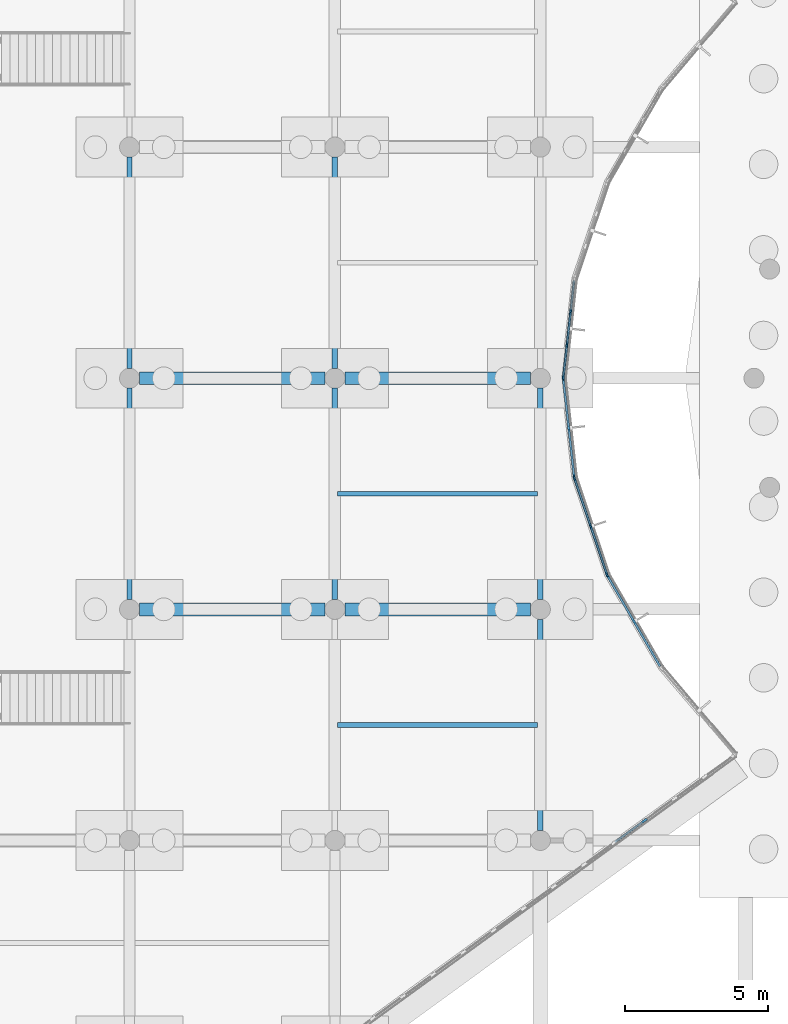
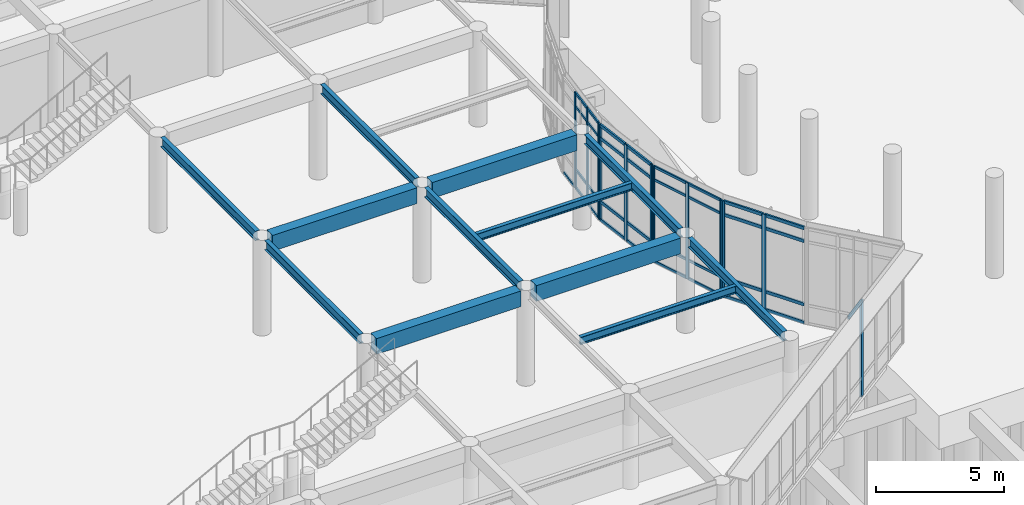
# One storey, part 17 of 103: 46 members, 12 beams, 5 elements without a shape of their own.
"""IFC4 building model written with IfcOpenShell, lengths in metres."""

from ifc_helpers import new_model, si_unit, direction, frame, origin, origin_2d, place, context, subcontext, project, spatial, rectangle, i_section, extrude, material, layer, layer_set, material_profile, profile_set, type_object, element, aggregate, save


model = new_model("IFC4")

# Units and contexts
model_context = context("Model", 3, precision=1e-05, world=origin(), true_north=direction((0.0, 1.0)))
body_context = subcontext(model_context, "Body", "Model", "MODEL_VIEW")
ifc_project = project(units=[si_unit("LENGTHUNIT", "METRE"), si_unit("AREAUNIT", "SQUARE_METRE"), si_unit("VOLUMEUNIT", "CUBIC_METRE"), si_unit("PLANEANGLEUNIT", "RADIAN"), si_unit("MASSUNIT", "GRAM", prefix="KILO")], contexts=[model_context])

# Site, building, storey
site_placement = place(None, origin())
site = spatial("IfcSite", under=ifc_project, at=site_placement, CompositionType="ELEMENT")
building_placement = place(site_placement, origin())
building = spatial("IfcBuilding", under=site, at=building_placement, Name="Namkhue Oval Health Centre", CompositionType="ELEMENT")
storey_placement = place(building_placement, origin())
storey = spatial("IfcBuildingStorey", under=building, at=storey_placement, Name="L00", CompositionType="ELEMENT", Elevation=0.0)

# Curtain wall, members
ifc_material_1 = material(Name="Anodised aluminium EN AW-6063 T6", Category="aluminium")
ifc_layer_1 = layer(ifc_material_1, 0.159912109375)
ifc_layer_set_1 = layer_set([ifc_layer_1], Name="Anodised aluminium EN AW-6063 T6")
curtain_wall_type_1 = type_object("IfcCurtainWallType", Name="UNITISED CURTAIN WALL M1800", PredefinedType="NOTDEFINED", material=ifc_layer_set_1)
curtain_wall_1_placement = place(storey_placement, origin())
curtain_wall_1 = element("IfcCurtainWall", 1, at=curtain_wall_1_placement, inside=storey, type_object=curtain_wall_type_1, Name="Volume V1 L00 Unitised Curtain Wall 5", PredefinedType="NOTDEFINED")
ifc_material_profile_1 = material_profile(ifc_material_1, rectangle(XDim=0.06494140625, YDim=0.159912109375, at=origin_2d()), Name="ALU 65x160")
ifc_profile_set_1 = profile_set([ifc_material_profile_1], Name="Anodised aluminium EN AW-6063 T6")
member_type_1 = type_object("IfcMemberType", Name="CURTAIN WALL MULLION 65X160", PredefinedType="MULLION", material=ifc_profile_set_1)
member_1_placement = place(storey_placement, frame((67.127685546875, 52.53076171875, 0.0), z_axis=(0.0, 0.0, 1.0), x_axis=(-0.947538547184, -0.319641520458, 0.0)))
member_1 = element("IfcMember", 2, at=member_1_placement, type_object=member_type_1, Name="CW-05 mullion 1", PredefinedType="MULLION", context=body_context, shape_type="SweptSolid", body=[
    extrude(rectangle(XDim=0.06494140625, YDim=0.159912109375, at=origin_2d()), origin(), (0.0, 0.0, 1.0), 4.56494140625),
])
member_2_placement = place(storey_placement, frame((66.5625, 54.2060546875, 0.0), z_axis=(0.0, 0.0, 1.0), x_axis=(-0.947538547184, -0.319641520458, 0.0)))
member_2 = element("IfcMember", 3, at=member_2_placement, type_object=member_type_1, Name="CW-05 mullion 2", PredefinedType="MULLION", context=body_context, shape_type="SweptSolid", body=[
    extrude(rectangle(XDim=0.06494140625, YDim=0.159912109375, at=origin_2d()), origin(), (0.0, 0.0, 1.0), 4.56494140625),
])
member_3_placement = place(storey_placement, frame((65.997314453125, 55.881103515625, 0.0), z_axis=(0.0, 0.0, 1.0), x_axis=(-0.947538547184, -0.319641520458, 0.0)))
member_3 = element("IfcMember", 4, at=member_3_placement, type_object=member_type_1, Name="CW-05 mullion 3", PredefinedType="MULLION", context=body_context, shape_type="SweptSolid", body=[
    extrude(rectangle(XDim=0.06494140625, YDim=0.159912109375, at=origin_2d()), origin(), (0.0, 0.0, 1.0), 4.56494140625),
])

ifc_layer_2 = layer(ifc_material_1, 0.159912109375)
ifc_layer_set_2 = layer_set([ifc_layer_2], Name="Anodised aluminium EN AW-6063 T6")
curtain_wall_type_2 = type_object("IfcCurtainWallType", Name="UNITISED CURTAIN WALL M1200", PredefinedType="NOTDEFINED", material=ifc_layer_set_2)
curtain_wall_2_placement = place(storey_placement, origin())
curtain_wall_2 = element("IfcCurtainWall", 5, at=curtain_wall_2_placement, inside=storey, type_object=curtain_wall_type_2, Name="Volume V1 L00 Unitised Curtain Wall 7", PredefinedType="NOTDEFINED")
member_4_placement = place(storey_placement, frame((65.603515625, 59.432373046875, 0.0), z_axis=(0.0, 0.0, 1.0), x_axis=(-0.993901097292, 0.110275150425, 0.0)))
member_4 = element("IfcMember", 6, at=member_4_placement, type_object=member_type_1, Name="CW-01 mullion 1", PredefinedType="MULLION", context=body_context, shape_type="SweptSolid", body=[
    extrude(rectangle(XDim=0.06494140625, YDim=0.159912109375, at=origin_2d()), origin(), (0.0, 0.0, 1.0), 4.56494140625),
])
member_5_placement = place(storey_placement, frame((65.72900390625, 60.562744140625, 0.0), z_axis=(0.0, 0.0, 1.0), x_axis=(-0.993901097292, 0.110275150425, 0.0)))
member_5 = element("IfcMember", 7, at=member_5_placement, type_object=member_type_1, Name="CW-01 mullion 2", PredefinedType="MULLION", context=body_context, shape_type="SweptSolid", body=[
    extrude(rectangle(XDim=0.06494140625, YDim=0.159912109375, at=origin_2d()), origin(), (0.0, 0.0, 1.0), 4.56494140625),
])
member_6_placement = place(storey_placement, frame((65.85791015625, 61.725341796875, 0.0), z_axis=(0.0, 0.0, 1.0), x_axis=(-0.993901097292, 0.110275150425, 0.0)))
member_6 = element("IfcMember", 8, at=member_6_placement, type_object=member_type_1, Name="CW-01 mullion 3", PredefinedType="MULLION", context=body_context, shape_type="SweptSolid", body=[
    extrude(rectangle(XDim=0.06494140625, YDim=0.159912109375, at=origin_2d()), origin(), (0.0, 0.0, 1.0), 4.56494140625),
])

# Curtain wall, member
ifc_layer_3 = layer(ifc_material_1, 0.159912109375)
ifc_layer_set_3 = layer_set([ifc_layer_3], Name="Anodised aluminium EN AW-6063 T6")
curtain_wall_type_3 = type_object("IfcCurtainWallType", Name="UNITISED CURTAIN WALL M1350", PredefinedType="NOTDEFINED", material=ifc_layer_set_3)
curtain_wall_3_placement = place(storey_placement, origin())
curtain_wall_3 = element("IfcCurtainWall", 9, at=curtain_wall_3_placement, inside=storey, type_object=curtain_wall_type_3, Name="Volume V1 L00 Unitised Curtain Wall 2", PredefinedType="NOTDEFINED")
ifc_material_profile_2 = material_profile(ifc_material_1, rectangle(XDim=0.074951171875, YDim=0.199951171875, at=origin_2d()), Name="ALU 75x200")
ifc_profile_set_2 = profile_set([ifc_material_profile_2], Name="Anodised aluminium EN AW-6063 T6")
member_type_2 = type_object("IfcMemberType", Name="CURTAIN WALL MULLION 75X200", PredefinedType="MULLION", material=ifc_profile_set_2)
member_7_placement = place(storey_placement, frame((68.445556640625, 43.89404296875, 0.0), z_axis=(0.0, 0.0, 1.0), x_axis=(-0.588476942894, 0.808513999682, 0.0)))
member_7 = element("IfcMember", 10, at=member_7_placement, type_object=member_type_2, Name="CW-02 mullion 11", PredefinedType="MULLION", context=body_context, shape_type="SweptSolid", body=[
    extrude(rectangle(XDim=0.074951171875, YDim=0.199951171875, at=origin_2d()), origin(), (0.0, 0.0, 1.0), 4.56494140625),
])

# Curtain wall, members
ifc_layer_4 = layer(ifc_material_1, 0.159912109375)
ifc_layer_set_4 = layer_set([ifc_layer_4], Name="Anodised aluminium EN AW-6063 T6")
curtain_wall_type_4 = type_object("IfcCurtainWallType", Name="UNITISED CURTAIN WALL M1600", PredefinedType="NOTDEFINED", material=ifc_layer_set_4)
curtain_wall_4_placement = place(storey_placement, origin())
curtain_wall_4 = element("IfcCurtainWall", 11, at=curtain_wall_4_placement, inside=storey, type_object=curtain_wall_type_4, Name="Volume V1 L00 Unitised Curtain Wall 4", PredefinedType="NOTDEFINED")
member_8_placement = place(storey_placement, frame((68.08349609375, 50.8701171875, 0.0), z_axis=(0.0, 0.0, 1.0), x_axis=(-0.865008156752, -0.501757798896, 0.0)))
member_8 = element("IfcMember", 12, at=member_8_placement, type_object=member_type_2, Name="CW-04 mullion 2", PredefinedType="MULLION", context=body_context, shape_type="SweptSolid", body=[
    extrude(rectangle(XDim=0.074951171875, YDim=0.199951171875, at=origin_2d()), origin(), (0.0, 0.0, 1.0), 4.56494140625),
])
member_9_placement = place(storey_placement, frame((67.15673828125, 52.467529296875, 0.0), z_axis=(0.0, 0.0, 1.0), x_axis=(-0.865008156752, -0.501757798896, 0.0)))
member_9 = element("IfcMember", 13, at=member_9_placement, type_object=member_type_2, Name="CW-04 mullion 3", PredefinedType="MULLION", context=body_context, shape_type="SweptSolid", body=[
    extrude(rectangle(XDim=0.074951171875, YDim=0.199951171875, at=origin_2d()), origin(), (0.0, 0.0, 1.0), 4.56494140625),
])

ifc_layer_5 = layer(ifc_material_1, 0.159912109375)
ifc_layer_set_5 = layer_set([ifc_layer_5], Name="Anodised aluminium EN AW-6063 T6")
curtain_wall_type_5 = type_object("IfcCurtainWallType", Name="UNITISED CURTAIN WALL M2000", PredefinedType="NOTDEFINED", material=ifc_layer_set_5)
curtain_wall_5_placement = place(storey_placement, origin())
curtain_wall_5 = element("IfcCurtainWall", 14, at=curtain_wall_5_placement, inside=storey, type_object=curtain_wall_type_5, Name="Volume V1 L00 Unitised Curtain Wall 6", PredefinedType="NOTDEFINED")
member_10_placement = place(storey_placement, frame((65.98291015625, 55.94921875, 0.0), z_axis=(0.0, 0.0, 1.0), x_axis=(-0.993901097292, -0.110275150425, 0.0)))
member_10 = element("IfcMember", 15, at=member_10_placement, type_object=member_type_2, Name="CW-06 mullion 1", PredefinedType="MULLION", context=body_context, shape_type="SweptSolid", body=[
    extrude(rectangle(XDim=0.074951171875, YDim=0.199951171875, at=origin_2d()), origin(), (0.0, 0.0, 1.0), 4.56494140625),
])
member_11_placement = place(storey_placement, frame((65.79345703125, 57.656005859375, 0.0), z_axis=(0.0, 0.0, 1.0), x_axis=(-0.993901097292, -0.110275150425, 0.0)))
member_11 = element("IfcMember", 16, at=member_11_placement, type_object=member_type_2, Name="CW-06 mullion 2", PredefinedType="MULLION", context=body_context, shape_type="SweptSolid", body=[
    extrude(rectangle(XDim=0.074951171875, YDim=0.199951171875, at=origin_2d()), origin(), (0.0, 0.0, 1.0), 4.56494140625),
])
member_12_placement = place(storey_placement, frame((65.604248046875, 59.36279296875, 0.0), z_axis=(0.0, 0.0, 1.0), x_axis=(-0.993901097292, -0.110275150425, 0.0)))
member_12 = element("IfcMember", 17, at=member_12_placement, type_object=member_type_2, Name="CW-06 mullion 3", PredefinedType="MULLION", context=body_context, shape_type="SweptSolid", body=[
    extrude(rectangle(XDim=0.074951171875, YDim=0.199951171875, at=origin_2d()), origin(), (0.0, 0.0, 1.0), 4.56494140625),
])

# Member
ifc_material_profile_3 = material_profile(ifc_material_1, rectangle(XDim=0.06494140625, YDim=0.1201171875, at=origin_2d()), Name="ALU 65x120")
ifc_profile_set_3 = profile_set([ifc_material_profile_3], Name="Anodised aluminium EN AW-6063 T6")
member_type_3 = type_object("IfcMemberType", Name="CURTAIN WALL TRANSOM 65X120", PredefinedType="USERDEFINED", material=ifc_profile_set_3)
member_13_placement = place(storey_placement, frame((67.1171875, 52.5615234375, 0.032470703125), z_axis=(-0.319537329986, 0.947573688293, 0.0), x_axis=(-0.947573688293, -0.319537329986, 0.0)))
member_13 = element("IfcMember", 18, at=member_13_placement, type_object=member_type_3, Name="CW-05 transom 1.1", ObjectType="TRANSOM", PredefinedType="USERDEFINED", context=body_context, shape_type="SweptSolid", body=[
    extrude(rectangle(XDim=0.06494140625, YDim=0.1201171875, at=origin_2d()), origin(), (0.0, 0.0, 1.0), 1.703125),
])

member_14_placement = place(storey_placement, frame((67.1171875, 52.5615234375, 0.89990234375), z_axis=(-0.319537329986, 0.947573688293, 0.0), x_axis=(-0.947573688293, -0.319537329986, 0.0)))
member_14 = element("IfcMember", 19, at=member_14_placement, type_object=member_type_3, Name="CW-05 transom 1.2", ObjectType="TRANSOM", PredefinedType="USERDEFINED", context=body_context, shape_type="SweptSolid", body=[
    extrude(rectangle(XDim=0.06494140625, YDim=0.1201171875, at=origin_2d()), origin(), (0.0, 0.0, 1.0), 1.703125),
])

member_15_placement = place(storey_placement, frame((67.1171875, 52.5615234375, 3.9150390625), z_axis=(-0.319537329986, 0.947573688293, 0.0), x_axis=(-0.947573688293, -0.319537329986, 0.0)))
member_15 = element("IfcMember", 20, at=member_15_placement, type_object=member_type_3, Name="CW-05 transom 1.3", ObjectType="TRANSOM", PredefinedType="USERDEFINED", context=body_context, shape_type="SweptSolid", body=[
    extrude(rectangle(XDim=0.06494140625, YDim=0.1201171875, at=origin_2d()), origin(), (0.0, 0.0, 1.0), 1.703125),
])

member_16_placement = place(storey_placement, frame((67.1171875, 52.5615234375, 4.532470703125), z_axis=(-0.319537329986, 0.947573688293, 0.0), x_axis=(-0.947573688293, -0.319537329986, 0.0)))
member_16 = element("IfcMember", 21, at=member_16_placement, type_object=member_type_3, Name="CW-05 transom 1.4", ObjectType="TRANSOM", PredefinedType="USERDEFINED", context=body_context, shape_type="SweptSolid", body=[
    extrude(rectangle(XDim=0.06494140625, YDim=0.1201171875, at=origin_2d()), origin(), (0.0, 0.0, 1.0), 1.703125),
])

member_17_placement = place(storey_placement, frame((66.552001953125, 54.23681640625, 0.032470703125), z_axis=(-0.319580741184, 0.94755904822, 0.0), x_axis=(-0.94755904822, -0.319580741184, 0.0)))
member_17 = element("IfcMember", 22, at=member_17_placement, type_object=member_type_3, Name="CW-05 transom 2.1", ObjectType="TRANSOM", PredefinedType="USERDEFINED", context=body_context, shape_type="SweptSolid", body=[
    extrude(rectangle(XDim=0.06494140625, YDim=0.1201171875, at=origin_2d()), origin(), (0.0, 0.0, 1.0), 1.702880859375),
])

member_18_placement = place(storey_placement, frame((66.552001953125, 54.23681640625, 0.89990234375), z_axis=(-0.319580741184, 0.94755904822, 0.0), x_axis=(-0.94755904822, -0.319580741184, 0.0)))
member_18 = element("IfcMember", 23, at=member_18_placement, type_object=member_type_3, Name="CW-05 transom 2.2", ObjectType="TRANSOM", PredefinedType="USERDEFINED", context=body_context, shape_type="SweptSolid", body=[
    extrude(rectangle(XDim=0.06494140625, YDim=0.1201171875, at=origin_2d()), origin(), (0.0, 0.0, 1.0), 1.702880859375),
])

member_19_placement = place(storey_placement, frame((66.552001953125, 54.23681640625, 3.9150390625), z_axis=(-0.319580741184, 0.94755904822, 0.0), x_axis=(-0.94755904822, -0.319580741184, 0.0)))
member_19 = element("IfcMember", 24, at=member_19_placement, type_object=member_type_3, Name="CW-05 transom 2.3", ObjectType="TRANSOM", PredefinedType="USERDEFINED", context=body_context, shape_type="SweptSolid", body=[
    extrude(rectangle(XDim=0.06494140625, YDim=0.1201171875, at=origin_2d()), origin(), (0.0, 0.0, 1.0), 1.702880859375),
])

member_20_placement = place(storey_placement, frame((66.552001953125, 54.23681640625, 4.532470703125), z_axis=(-0.319580741184, 0.94755904822, 0.0), x_axis=(-0.94755904822, -0.319580741184, 0.0)))
member_20 = element("IfcMember", 25, at=member_20_placement, type_object=member_type_3, Name="CW-05 transom 2.4", ObjectType="TRANSOM", PredefinedType="USERDEFINED", context=body_context, shape_type="SweptSolid", body=[
    extrude(rectangle(XDim=0.06494140625, YDim=0.1201171875, at=origin_2d()), origin(), (0.0, 0.0, 1.0), 1.702880859375),
])

aggregate(curtain_wall_1, [member_1, member_2, member_3, member_13, member_14, member_15, member_16, member_17, member_18, member_19, member_20])

member_21_placement = place(storey_placement, frame((65.607177734375, 59.464599609375, 0.032470703125), z_axis=(0.110206600483, 0.993908700641, 0.0), x_axis=(-0.993908700641, 0.110206600483, 0.0)))
member_21 = element("IfcMember", 26, at=member_21_placement, type_object=member_type_3, Name="CW-01 transom 1.1", ObjectType="TRANSOM", PredefinedType="USERDEFINED", context=body_context, shape_type="SweptSolid", body=[
    extrude(rectangle(XDim=0.06494140625, YDim=0.1201171875, at=origin_2d()), origin(), (0.0, 0.0, 1.0), 1.072265625),
])

member_22_placement = place(storey_placement, frame((65.607177734375, 59.464599609375, 0.89990234375), z_axis=(0.110206600483, 0.993908700641, 0.0), x_axis=(-0.993908700641, 0.110206600483, 0.0)))
member_22 = element("IfcMember", 27, at=member_22_placement, type_object=member_type_3, Name="CW-01 transom 1.2", ObjectType="TRANSOM", PredefinedType="USERDEFINED", context=body_context, shape_type="SweptSolid", body=[
    extrude(rectangle(XDim=0.06494140625, YDim=0.1201171875, at=origin_2d()), origin(), (0.0, 0.0, 1.0), 1.072265625),
])

member_23_placement = place(storey_placement, frame((65.607177734375, 59.464599609375, 3.9150390625), z_axis=(0.110206600483, 0.993908700641, 0.0), x_axis=(-0.993908700641, 0.110206600483, 0.0)))
member_23 = element("IfcMember", 28, at=member_23_placement, type_object=member_type_3, Name="CW-01 transom 1.3", ObjectType="TRANSOM", PredefinedType="USERDEFINED", context=body_context, shape_type="SweptSolid", body=[
    extrude(rectangle(XDim=0.06494140625, YDim=0.1201171875, at=origin_2d()), origin(), (0.0, 0.0, 1.0), 1.072265625),
])

member_24_placement = place(storey_placement, frame((65.607177734375, 59.464599609375, 4.532470703125), z_axis=(0.110206600483, 0.993908700641, 0.0), x_axis=(-0.993908700641, 0.110206600483, 0.0)))
member_24 = element("IfcMember", 29, at=member_24_placement, type_object=member_type_3, Name="CW-01 transom 1.4", ObjectType="TRANSOM", PredefinedType="USERDEFINED", context=body_context, shape_type="SweptSolid", body=[
    extrude(rectangle(XDim=0.06494140625, YDim=0.1201171875, at=origin_2d()), origin(), (0.0, 0.0, 1.0), 1.072265625),
])

member_25_placement = place(storey_placement, frame((65.732666015625, 60.594970703125, 0.032470703125), z_axis=(0.110261758327, 0.993902583079, 0.0), x_axis=(-0.993902583079, 0.110261758327, 0.0)))
member_25 = element("IfcMember", 30, at=member_25_placement, type_object=member_type_3, Name="CW-01 transom 2.1", ObjectType="TRANSOM", PredefinedType="USERDEFINED", context=body_context, shape_type="SweptSolid", body=[
    extrude(rectangle(XDim=0.06494140625, YDim=0.1201171875, at=origin_2d()), origin(), (0.0, 0.0, 1.0), 1.10498046875),
])

member_26_placement = place(storey_placement, frame((65.732666015625, 60.594970703125, 0.89990234375), z_axis=(0.110261758327, 0.993902583079, 0.0), x_axis=(-0.993902583079, 0.110261758327, 0.0)))
member_26 = element("IfcMember", 31, at=member_26_placement, type_object=member_type_3, Name="CW-01 transom 2.2", ObjectType="TRANSOM", PredefinedType="USERDEFINED", context=body_context, shape_type="SweptSolid", body=[
    extrude(rectangle(XDim=0.06494140625, YDim=0.1201171875, at=origin_2d()), origin(), (0.0, 0.0, 1.0), 1.10498046875),
])

member_27_placement = place(storey_placement, frame((65.732666015625, 60.594970703125, 3.9150390625), z_axis=(0.110261758327, 0.993902583079, 0.0), x_axis=(-0.993902583079, 0.110261758327, 0.0)))
member_27 = element("IfcMember", 32, at=member_27_placement, type_object=member_type_3, Name="CW-01 transom 2.3", ObjectType="TRANSOM", PredefinedType="USERDEFINED", context=body_context, shape_type="SweptSolid", body=[
    extrude(rectangle(XDim=0.06494140625, YDim=0.1201171875, at=origin_2d()), origin(), (0.0, 0.0, 1.0), 1.10498046875),
])

member_28_placement = place(storey_placement, frame((65.732666015625, 60.594970703125, 4.532470703125), z_axis=(0.110261758327, 0.993902583079, 0.0), x_axis=(-0.993902583079, 0.110261758327, 0.0)))
member_28 = element("IfcMember", 33, at=member_28_placement, type_object=member_type_3, Name="CW-01 transom 2.4", ObjectType="TRANSOM", PredefinedType="USERDEFINED", context=body_context, shape_type="SweptSolid", body=[
    extrude(rectangle(XDim=0.06494140625, YDim=0.1201171875, at=origin_2d()), origin(), (0.0, 0.0, 1.0), 1.10498046875),
])

member_29_placement = place(storey_placement, frame((65.861572265625, 61.757568359375, 0.032470703125), z_axis=(0.11018166495, 0.993911465227, 0.0), x_axis=(-0.993911465227, 0.11018166495, 0.0)))
member_29 = element("IfcMember", 34, at=member_29_placement, type_object=member_type_3, Name="CW-01 transom 3.1", ObjectType="TRANSOM", PredefinedType="USERDEFINED", context=body_context, shape_type="SweptSolid", body=[
    extrude(rectangle(XDim=0.06494140625, YDim=0.1201171875, at=origin_2d()), origin(), (0.0, 0.0, 1.0), 1.072509765625),
])

aggregate(curtain_wall_2, [member_4, member_5, member_6, member_21, member_22, member_23, member_24, member_25, member_26, member_27, member_28, member_29])

ifc_material_profile_4 = material_profile(ifc_material_1, rectangle(XDim=0.074951171875, YDim=0.14990234375, at=origin_2d()), Name="ALU 75x150")
ifc_profile_set_4 = profile_set([ifc_material_profile_4], Name="Anodised aluminium EN AW-6063 T6")
member_type_4 = type_object("IfcMemberType", Name="CURTAIN WALL TRANSOM 75X150", PredefinedType="USERDEFINED", material=ifc_profile_set_4)
member_30_placement = place(storey_placement, frame((67.41845703125, 43.146240234375, 4.527587890625), z_axis=(0.808496258108, 0.588501317437, 0.0), x_axis=(-0.588501317437, 0.808496258108, 0.0)))
member_30 = element("IfcMember", 35, at=member_30_placement, type_object=member_type_4, Name="CW-02 transom 10.4", ObjectType="TRANSOM", PredefinedType="USERDEFINED", context=body_context, shape_type="SweptSolid", body=[
    extrude(rectangle(XDim=0.074951171875, YDim=0.14990234375, at=origin_2d()), origin(), (0.0, 0.0, 1.0), 1.23291015625),
])

aggregate(curtain_wall_3, [member_7, member_30])

member_31_placement = place(storey_placement, frame((68.991455078125, 49.304931640625, 0.03759765625), z_axis=(-0.501796442361, 0.864985740018, 0.0), x_axis=(-0.864985740018, -0.501796442361, 0.0)))
member_31 = element("IfcMember", 36, at=member_31_placement, type_object=member_type_4, Name="CW-04 transom 1.1", ObjectType="TRANSOM", PredefinedType="USERDEFINED", context=body_context, shape_type="SweptSolid", body=[
    extrude(rectangle(XDim=0.074951171875, YDim=0.14990234375, at=origin_2d()), origin(), (0.0, 0.0, 1.0), 1.77197265625),
])

member_32_placement = place(storey_placement, frame((68.991455078125, 49.304931640625, 0.89990234375), z_axis=(-0.501796442361, 0.864985740018, 0.0), x_axis=(-0.864985740018, -0.501796442361, 0.0)))
member_32 = element("IfcMember", 37, at=member_32_placement, type_object=member_type_4, Name="CW-04 transom 1.2", ObjectType="TRANSOM", PredefinedType="USERDEFINED", context=body_context, shape_type="SweptSolid", body=[
    extrude(rectangle(XDim=0.074951171875, YDim=0.14990234375, at=origin_2d()), origin(), (0.0, 0.0, 1.0), 1.77197265625),
])

member_33_placement = place(storey_placement, frame((68.991455078125, 49.304931640625, 3.9150390625), z_axis=(-0.501796442361, 0.864985740018, 0.0), x_axis=(-0.864985740018, -0.501796442361, 0.0)))
member_33 = element("IfcMember", 38, at=member_33_placement, type_object=member_type_4, Name="CW-04 transom 1.3", ObjectType="TRANSOM", PredefinedType="USERDEFINED", context=body_context, shape_type="SweptSolid", body=[
    extrude(rectangle(XDim=0.074951171875, YDim=0.14990234375, at=origin_2d()), origin(), (0.0, 0.0, 1.0), 1.77197265625),
])

member_34_placement = place(storey_placement, frame((68.991455078125, 49.304931640625, 4.527587890625), z_axis=(-0.501796442361, 0.864985740018, 0.0), x_axis=(-0.864985740018, -0.501796442361, 0.0)))
member_34 = element("IfcMember", 39, at=member_34_placement, type_object=member_type_4, Name="CW-04 transom 1.4", ObjectType="TRANSOM", PredefinedType="USERDEFINED", context=body_context, shape_type="SweptSolid", body=[
    extrude(rectangle(XDim=0.074951171875, YDim=0.14990234375, at=origin_2d()), origin(), (0.0, 0.0, 1.0), 1.77197265625),
])

member_35_placement = place(storey_placement, frame((68.064697265625, 50.90234375, 0.03759765625), z_axis=(-0.501796442361, 0.864985740018, 0.0), x_axis=(-0.864985740018, -0.501796442361, 0.0)))
member_35 = element("IfcMember", 40, at=member_35_placement, type_object=member_type_4, Name="CW-04 transom 2.1", ObjectType="TRANSOM", PredefinedType="USERDEFINED", context=body_context, shape_type="SweptSolid", body=[
    extrude(rectangle(XDim=0.074951171875, YDim=0.14990234375, at=origin_2d()), origin(), (0.0, 0.0, 1.0), 1.77197265625),
])

member_36_placement = place(storey_placement, frame((68.064697265625, 50.90234375, 0.89990234375), z_axis=(-0.501796442361, 0.864985740018, 0.0), x_axis=(-0.864985740018, -0.501796442361, 0.0)))
member_36 = element("IfcMember", 41, at=member_36_placement, type_object=member_type_4, Name="CW-04 transom 2.2", ObjectType="TRANSOM", PredefinedType="USERDEFINED", context=body_context, shape_type="SweptSolid", body=[
    extrude(rectangle(XDim=0.074951171875, YDim=0.14990234375, at=origin_2d()), origin(), (0.0, 0.0, 1.0), 1.77197265625),
])

member_37_placement = place(storey_placement, frame((68.064697265625, 50.90234375, 3.9150390625), z_axis=(-0.501796442361, 0.864985740018, 0.0), x_axis=(-0.864985740018, -0.501796442361, 0.0)))
member_37 = element("IfcMember", 42, at=member_37_placement, type_object=member_type_4, Name="CW-04 transom 2.3", ObjectType="TRANSOM", PredefinedType="USERDEFINED", context=body_context, shape_type="SweptSolid", body=[
    extrude(rectangle(XDim=0.074951171875, YDim=0.14990234375, at=origin_2d()), origin(), (0.0, 0.0, 1.0), 1.77197265625),
])

member_38_placement = place(storey_placement, frame((68.064697265625, 50.90234375, 4.527587890625), z_axis=(-0.501796442361, 0.864985740018, 0.0), x_axis=(-0.864985740018, -0.501796442361, 0.0)))
member_38 = element("IfcMember", 43, at=member_38_placement, type_object=member_type_4, Name="CW-04 transom 2.4", ObjectType="TRANSOM", PredefinedType="USERDEFINED", context=body_context, shape_type="SweptSolid", body=[
    extrude(rectangle(XDim=0.074951171875, YDim=0.14990234375, at=origin_2d()), origin(), (0.0, 0.0, 1.0), 1.77197265625),
])

aggregate(curtain_wall_4, [member_8, member_9, member_31, member_32, member_33, member_34, member_35, member_36, member_37, member_38])

member_39_placement = place(storey_placement, frame((65.978759765625, 55.986572265625, 0.03759765625), z_axis=(-0.110317298966, 0.99389641993, 0.0), x_axis=(-0.99389641993, -0.110317298966, 0.0)))
member_39 = element("IfcMember", 44, at=member_39_placement, type_object=member_type_4, Name="CW-06 transom 1.1", ObjectType="TRANSOM", PredefinedType="USERDEFINED", context=body_context, shape_type="SweptSolid", body=[
    extrude(rectangle(XDim=0.074951171875, YDim=0.14990234375, at=origin_2d()), origin(), (0.0, 0.0, 1.0), 1.64208984375),
])

member_40_placement = place(storey_placement, frame((65.978759765625, 55.986572265625, 0.89990234375), z_axis=(-0.110317298966, 0.99389641993, 0.0), x_axis=(-0.99389641993, -0.110317298966, 0.0)))
member_40 = element("IfcMember", 45, at=member_40_placement, type_object=member_type_4, Name="CW-06 transom 1.2", ObjectType="TRANSOM", PredefinedType="USERDEFINED", context=body_context, shape_type="SweptSolid", body=[
    extrude(rectangle(XDim=0.074951171875, YDim=0.14990234375, at=origin_2d()), origin(), (0.0, 0.0, 1.0), 1.64208984375),
])

member_41_placement = place(storey_placement, frame((65.978759765625, 55.986572265625, 3.9150390625), z_axis=(-0.110317298966, 0.99389641993, 0.0), x_axis=(-0.99389641993, -0.110317298966, 0.0)))
member_41 = element("IfcMember", 46, at=member_41_placement, type_object=member_type_4, Name="CW-06 transom 1.3", ObjectType="TRANSOM", PredefinedType="USERDEFINED", context=body_context, shape_type="SweptSolid", body=[
    extrude(rectangle(XDim=0.074951171875, YDim=0.14990234375, at=origin_2d()), origin(), (0.0, 0.0, 1.0), 1.64208984375),
])

member_42_placement = place(storey_placement, frame((65.978759765625, 55.986572265625, 4.527587890625), z_axis=(-0.110317298966, 0.99389641993, 0.0), x_axis=(-0.99389641993, -0.110317298966, 0.0)))
member_42 = element("IfcMember", 47, at=member_42_placement, type_object=member_type_4, Name="CW-06 transom 1.4", ObjectType="TRANSOM", PredefinedType="USERDEFINED", context=body_context, shape_type="SweptSolid", body=[
    extrude(rectangle(XDim=0.074951171875, YDim=0.14990234375, at=origin_2d()), origin(), (0.0, 0.0, 1.0), 1.64208984375),
])

member_43_placement = place(storey_placement, frame((65.789306640625, 57.693359375, 0.03759765625), z_axis=(-0.110317298966, 0.99389641993, 0.0), x_axis=(-0.99389641993, -0.110317298966, 0.0)))
member_43 = element("IfcMember", 48, at=member_43_placement, type_object=member_type_4, Name="CW-06 transom 2.1", ObjectType="TRANSOM", PredefinedType="USERDEFINED", context=body_context, shape_type="SweptSolid", body=[
    extrude(rectangle(XDim=0.074951171875, YDim=0.14990234375, at=origin_2d()), origin(), (0.0, 0.0, 1.0), 1.64208984375),
])

member_44_placement = place(storey_placement, frame((65.789306640625, 57.693359375, 0.89990234375), z_axis=(-0.110317298966, 0.99389641993, 0.0), x_axis=(-0.99389641993, -0.110317298966, 0.0)))
member_44 = element("IfcMember", 49, at=member_44_placement, type_object=member_type_4, Name="CW-06 transom 2.2", ObjectType="TRANSOM", PredefinedType="USERDEFINED", context=body_context, shape_type="SweptSolid", body=[
    extrude(rectangle(XDim=0.074951171875, YDim=0.14990234375, at=origin_2d()), origin(), (0.0, 0.0, 1.0), 1.64208984375),
])

member_45_placement = place(storey_placement, frame((65.789306640625, 57.693359375, 3.9150390625), z_axis=(-0.110317298966, 0.99389641993, 0.0), x_axis=(-0.99389641993, -0.110317298966, 0.0)))
member_45 = element("IfcMember", 50, at=member_45_placement, type_object=member_type_4, Name="CW-06 transom 2.3", ObjectType="TRANSOM", PredefinedType="USERDEFINED", context=body_context, shape_type="SweptSolid", body=[
    extrude(rectangle(XDim=0.074951171875, YDim=0.14990234375, at=origin_2d()), origin(), (0.0, 0.0, 1.0), 1.64208984375),
])

member_46_placement = place(storey_placement, frame((65.789306640625, 57.693359375, 4.527587890625), z_axis=(-0.110317298966, 0.99389641993, 0.0), x_axis=(-0.99389641993, -0.110317298966, 0.0)))
member_46 = element("IfcMember", 51, at=member_46_placement, type_object=member_type_4, Name="CW-06 transom 2.4", ObjectType="TRANSOM", PredefinedType="USERDEFINED", context=body_context, shape_type="SweptSolid", body=[
    extrude(rectangle(XDim=0.074951171875, YDim=0.14990234375, at=origin_2d()), origin(), (0.0, 0.0, 1.0), 1.64208984375),
])

aggregate(curtain_wall_5, [member_10, member_11, member_12, member_39, member_40, member_41, member_42, member_43, member_44, member_45, member_46])

# Beams
ifc_material_2 = material(Name="Structural steel EN 10025-2 S355JR (TCVN 5575:2024)", Category="steel")
ifc_material_profile_5 = material_profile(ifc_material_2, i_section(OverallWidth=0.18994140625, OverallDepth=0.449951171875, WebThickness=0.009521484375, FlangeThickness=0.0146484375, FilletRadius=0.02099609375, at=origin_2d()), Name="IPE 450")
ifc_profile_set_5 = profile_set([ifc_material_profile_5], Name="Structural steel EN 10025-2 S355JR (TCVN 5575:2024)")
beam_type_1 = type_object("IfcBeamType", Name="FLOOR BEAM STEEL IPE 450", PredefinedType="BEAM", material=ifc_profile_set_5)
beam_1_placement = place(storey_placement, frame((50.39990234375, 51.64990234375, 4.340087890625), z_axis=(0.0, 1.0, 0.0), x_axis=(-1.0, 0.0, 0.0)))
element("IfcBeam", 52, at=beam_1_placement, inside=storey, type_object=beam_type_1, Name="Volume V1 L01 Beam 8/H-J", PredefinedType="BEAM", context=body_context, shape_type="SweptSolid", body=[
    extrude(i_section(OverallWidth=0.18994140625, OverallDepth=0.449951171875, WebThickness=0.009521484375, FlangeThickness=0.0146484375, FilletRadius=0.02099609375, at=origin_2d()), origin(), (0.0, 0.0, 1.0), 7.400146484375),
])
beam_2_placement = place(storey_placement, frame((50.39990234375, 59.75, 4.340087890625), z_axis=(0.0, 1.0, 0.0), x_axis=(-1.0, 0.0, 0.0)))
element("IfcBeam", 53, at=beam_2_placement, inside=storey, type_object=beam_type_1, Name="Volume V1 L01 Beam 8/J-K", PredefinedType="BEAM", context=body_context, shape_type="SweptSolid", body=[
    extrude(i_section(OverallWidth=0.18994140625, OverallDepth=0.449951171875, WebThickness=0.009521484375, FlangeThickness=0.0146484375, FilletRadius=0.02099609375, at=origin_2d()), origin(), (0.0, 0.0, 1.0), 7.39990234375),
])
beam_3_placement = place(storey_placement, frame((57.60009765625, 51.64990234375, 4.340087890625), z_axis=(0.0, 1.0, 0.0), x_axis=(-1.0, 0.0, 0.0)))
element("IfcBeam", 54, at=beam_3_placement, inside=storey, type_object=beam_type_1, Name="Volume V1 L01 Beam 9/H-J", PredefinedType="BEAM", context=body_context, shape_type="SweptSolid", body=[
    extrude(i_section(OverallWidth=0.18994140625, OverallDepth=0.449951171875, WebThickness=0.009521484375, FlangeThickness=0.0146484375, FilletRadius=0.02099609375, at=origin_2d()), origin(), (0.0, 0.0, 1.0), 7.400146484375),
])
for number, where, z_axis, x_axis, name in (
    (55, (57.60009765625, 59.75, 4.340087890625), (0.0, 1.0, 0.0), (-1.0, 0.0, 0.0), "Volume V1 L01 Beam 9/J-K"),
    (56, (64.800048828125, 43.550048828125, 4.340087890625), (0.0, 1.0, 0.0), (-1.0, 0.0, 0.0), "Volume V1 L01 Beam 10/G-H"),
):
    element("IfcBeam", number, at=place(storey_placement, frame(where, z_axis=z_axis, x_axis=x_axis)), inside=storey, type_object=beam_type_1, Name=name, PredefinedType="BEAM", context=body_context, shape_type="SweptSolid", body=[
        extrude(i_section(OverallWidth=0.18994140625, OverallDepth=0.449951171875, WebThickness=0.009521484375, FlangeThickness=0.0146484375, FilletRadius=0.02099609375, at=origin_2d()), origin(), (0.0, 0.0, 1.0), 7.39990234375),
    ])
beam_4_placement = place(storey_placement, frame((64.800048828125, 51.64990234375, 4.340087890625), z_axis=(0.0, 1.0, 0.0), x_axis=(-1.0, 0.0, 0.0)))
element("IfcBeam", 57, at=beam_4_placement, inside=storey, type_object=beam_type_1, Name="Volume V1 L01 Beam 10/H-J", PredefinedType="BEAM", context=body_context, shape_type="SweptSolid", body=[
    extrude(i_section(OverallWidth=0.18994140625, OverallDepth=0.449951171875, WebThickness=0.009521484375, FlangeThickness=0.0146484375, FilletRadius=0.02099609375, at=origin_2d()), origin(), (0.0, 0.0, 1.0), 7.400146484375),
])
ifc_material_3 = material(Name="Reinforced concrete C35/45 (TCVN B40)", Category="concrete")
ifc_material_profile_6 = material_profile(ifc_material_3, rectangle(XDim=0.449951171875, YDim=0.75, at=origin_2d()), Name="RC 450x750")
ifc_profile_set_6 = profile_set([ifc_material_profile_6], Name="Reinforced concrete C35/45 (TCVN B40)")
beam_type_2 = type_object("IfcBeamType", Name="PRIMARY GIRDER RC 450X750", PredefinedType="USERDEFINED", material=ifc_profile_set_6)
for number, where, z_axis, x_axis, name in (
    (58, (50.75, 51.300048828125, 4.18994140625), (1.0, 0.0, 0.0), (0.0, 1.0, 0.0), "Volume V1 L01 Girder H/8-9"),
    (59, (57.949951171875, 51.300048828125, 4.18994140625), (1.0, 0.0, 0.0), (0.0, 1.0, 0.0), "Volume V1 L01 Girder H/9-10"),
    (60, (50.75, 59.39990234375, 4.18994140625), (1.0, 0.0, 0.0), (0.0, 1.0, 0.0), "Volume V1 L01 Girder J/8-9"),
    (61, (57.949951171875, 59.39990234375, 4.18994140625), (1.0, 0.0, 0.0), (0.0, 1.0, 0.0), "Volume V1 L01 Girder J/9-10"),
):
    element("IfcBeam", number, at=place(storey_placement, frame(where, z_axis=z_axis, x_axis=x_axis)), inside=storey, type_object=beam_type_2, Name=name, ObjectType="GIRDER", PredefinedType="USERDEFINED", context=body_context, shape_type="SweptSolid", body=[
        extrude(rectangle(XDim=0.449951171875, YDim=0.75, at=origin_2d()), origin(), (0.0, 0.0, 1.0), 6.5),
    ])
ifc_material_profile_7 = material_profile(ifc_material_2, i_section(OverallWidth=0.169921875, OverallDepth=0.360107421875, WebThickness=0.008056640625, FlangeThickness=0.0126953125, FilletRadius=0.01806640625, at=origin_2d()), Name="IPE 360")
ifc_profile_set_7 = profile_set([ifc_material_profile_7], Name="Structural steel EN 10025-2 S355JR (TCVN 5575:2024)")
beam_type_3 = type_object("IfcBeamType", Name="SECONDARY JOIST STEEL IPE 360", PredefinedType="JOIST", material=ifc_profile_set_7)
for number, where, z_axis, x_axis, name in (
    (62, (57.695068359375, 47.25, 4.385009765625), (1.0, 0.0, 0.0), (0.0, 1.0, 0.0), "Volume V1 L01 Secondary Joist 9-10"),
    (63, (57.695068359375, 55.35009765625, 4.385009765625), (1.0, 0.0, 0.0), (0.0, 1.0, 0.0), "Volume V1 L01 Secondary Joist 9-10"),
):
    element("IfcBeam", number, at=place(storey_placement, frame(where, z_axis=z_axis, x_axis=x_axis)), inside=storey, type_object=beam_type_3, Name=name, PredefinedType="JOIST", context=body_context, shape_type="SweptSolid", body=[
        extrude(i_section(OverallWidth=0.169921875, OverallDepth=0.360107421875, WebThickness=0.008056640625, FlangeThickness=0.0126953125, FilletRadius=0.01806640625, at=origin_2d()), origin(), (0.0, 0.0, 1.0), 7.010009765625),
    ])

save(model, "model.ifc")
